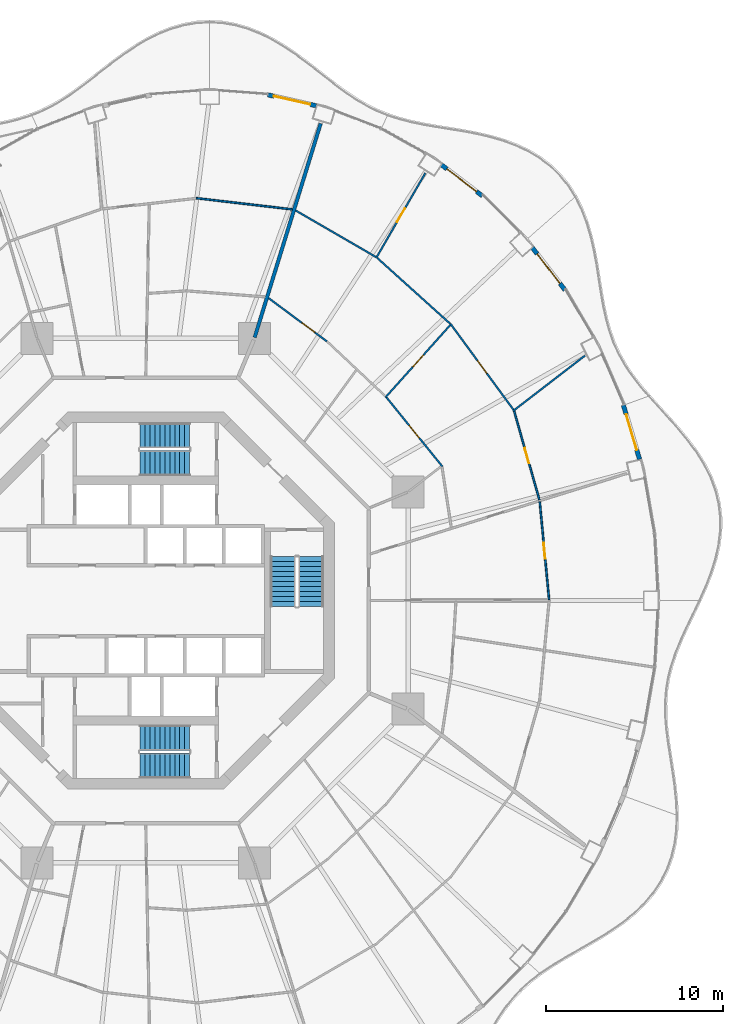
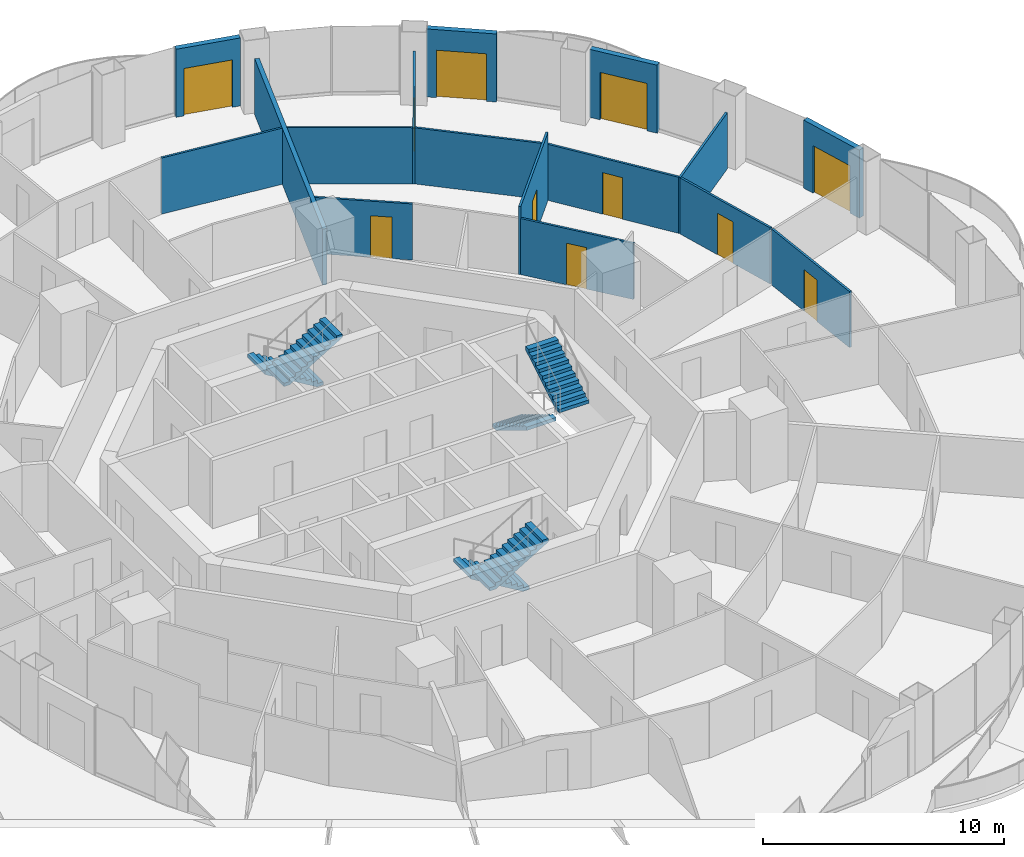
# One storey, part 17 of 20: 16 walls, 11 doors, 6 stair flights, 11 openings, 3 elements without a shape of their own.
"""IFC4 building model written with IfcOpenShell, lengths in metres."""

from ifc_helpers import new_model, si_unit, direction, frame, frame_2d, origin, place, context, subcontext, project, spatial, polyline, rectangle, outline, extrude, material, layer, layer_set, type_object, element, fill, aggregate, save


model = new_model("IFC4")

# Units and contexts
model_context = context("Model", 3, precision=1e-05, world=origin(), true_north=direction((0.0, 1.0)))
body_context = subcontext(model_context, "Body", "Model", "MODEL_VIEW")
ifc_project = project(units=[si_unit("LENGTHUNIT", "METRE"), si_unit("AREAUNIT", "SQUARE_METRE"), si_unit("VOLUMEUNIT", "CUBIC_METRE"), si_unit("PLANEANGLEUNIT", "RADIAN"), si_unit("MASSUNIT", "GRAM", prefix="KILO")], contexts=[model_context])

# Site, building, storey
site_placement = place(None, origin())
site = spatial("IfcSite", under=ifc_project, at=site_placement, CompositionType="ELEMENT")
building_placement = place(site_placement, origin())
building = spatial("IfcBuilding", under=site, at=building_placement, Name="Nagisa Residences", CompositionType="ELEMENT")
storey_placement = place(building_placement, frame((0.0, 0.0, 165.89990234375)))
storey = spatial("IfcBuildingStorey", under=building, at=storey_placement, Name="L41", CompositionType="ELEMENT", Elevation=165.89990234375)

# Wall
ifc_material_1 = material(Name="Gypsum board on steel studs", Category="steel")
ifc_layer_1 = layer(ifc_material_1, 0.199951171875)
ifc_layer_set_1 = layer_set([ifc_layer_1], Name="Apartment compartment wall EI60 200")
wall_type_1 = type_object("IfcWallType", Name="Apartment compartment wall EI60 200", PredefinedType="PARTITIONING", material=ifc_layer_set_1)
wall_1_placement = place(storey_placement, frame((6.1376953125, 14.829833984375, 0.0), z_axis=(0.0, 0.0, 1.0), x_axis=(0.294818517221, 0.955553264818, 0.0)))
element("IfcWall", 1, at=wall_1_placement, inside=storey, type_object=wall_type_1, Name="wall:L41:u01", PredefinedType="PARTITIONING", context=body_context, shape_type="SweptSolid", body=[
    extrude(rectangle(XDim=12.619384765625, YDim=0.199951171875, at=frame_2d((6.3095703125, 0.0))), origin(), (0.0, 0.0, 1.0), 2.837158203125),
])

# Wall, opening, door
ifc_material_2 = material(Name="Gypsum board on steel studs", Category="steel")
ifc_layer_2 = layer(ifc_material_2, 0.10009765625)
ifc_layer_set_2 = layer_set([ifc_layer_2], Name="Apartment partition 100")
wall_type_2 = type_object("IfcWallType", Name="Apartment partition 100", PredefinedType="PARTITIONING", material=ifc_layer_set_2)
wall_2_placement = place(storey_placement, frame((22.734375, 0.0498046875, 0.0), z_axis=(0.0, 0.0, 1.0), x_axis=(-0.094923312677, 0.995484587882, 0.0)))
wall_2 = element("IfcWall", 2, at=wall_2_placement, inside=storey, type_object=wall_type_2, Name="wall:L41:u18", PredefinedType="PARTITIONING", context=body_context, shape_type="SweptSolid", body=[
    extrude(rectangle(XDim=5.5478515625, YDim=0.10009765625, at=frame_2d((2.77392578125, 0.0))), origin(), (0.0, 0.0, 1.0), 2.837158203125),
])
opening_1_placement = place(wall_2_placement, frame((2.323974609375, 0.0, 0.0)))
opening_1 = element("IfcOpeningElement", 3, at=opening_1_placement, cuts=wall_2, Name="Opening L41-U09", PredefinedType="OPENING", context=body_context, shape_type="SweptSolid", body=[
    extrude(rectangle(XDim=0.89990234375, YDim=2.10009765625, at=frame_2d((0.449951171875, 1.050048828125))), frame((0.0, 0.06005859375, 0.0), z_axis=(0.0, -1.0, 0.0), x_axis=(1.0, 0.0, 0.0)), (0.0, 0.0, 1.0), 0.1201171875),
])
ifc_material_3 = material(Name="Timber door set", Category="wood")
door_type_1 = type_object("IfcDoorType", Name="Apartment door 900x2100", OperationType="NOTDEFINED", PredefinedType="DOOR", material=ifc_material_3)
door_1_placement = place(opening_1_placement, frame((0.89990234375, 0.0, 0.0), x_axis=(-1.0, 0.0, 0.0)))
door_1 = element("IfcDoor", 4, at=door_1_placement, inside=storey, type_object=door_type_1, Name="Door to dining room, Apartment 41A", OperationType="SINGLE_SWING_RIGHT", OverallHeight=2.10009765625, OverallWidth=0.89990234375, PredefinedType="DOOR", context=body_context, shape_type="SweptSolid", body=[
    extrude(rectangle(XDim=0.89990234375, YDim=2.10009765625, at=frame_2d((0.449951171875, 1.050048828125))), frame((0.0, 0.02490234375, 0.0), z_axis=(0.0, -1.0, 0.0), x_axis=(1.0, 0.0, 0.0)), (0.0, 0.0, 1.0), 0.050048828125),
])
fill(opening_1, door_1)

wall_3_placement = place(storey_placement, frame((22.189453125, 5.67041015625, 0.0), z_axis=(0.0, 0.0, 1.0), x_axis=(-0.273815967041, 0.961782104322, 0.0)))
wall_3 = element("IfcWall", 5, at=wall_3_placement, inside=storey, type_object=wall_type_2, Name="wall:L41:u22", PredefinedType="PARTITIONING", context=body_context, shape_type="SweptSolid", body=[
    extrude(rectangle(XDim=5.20166015625, YDim=0.10009765625, at=frame_2d((2.600830078125, 0.0))), origin(), (0.0, 0.0, 1.0), 2.837158203125),
])
opening_2_placement = place(wall_3_placement, frame((2.15087890625, 0.0, 0.0)))
opening_2 = element("IfcOpeningElement", 6, at=opening_2_placement, cuts=wall_3, Name="Opening L41-U10", PredefinedType="OPENING", context=body_context, shape_type="SweptSolid", body=[
    extrude(rectangle(XDim=0.89990234375, YDim=2.10009765625, at=frame_2d((0.449951171875, 1.050048828125))), frame((0.0, 0.06005859375, 0.0), z_axis=(0.0, -1.0, 0.0), x_axis=(1.0, 0.0, 0.0)), (0.0, 0.0, 1.0), 0.1201171875),
])
door_2_placement = place(opening_2_placement, frame((0.89990234375, 0.0, 0.0), x_axis=(-1.0, 0.0, 0.0)))
door_2 = element("IfcDoor", 7, at=door_2_placement, inside=storey, type_object=door_type_1, Name="Door to master bedroom, Apartment 41A", OperationType="SINGLE_SWING_LEFT", OverallHeight=2.10009765625, OverallWidth=0.89990234375, PredefinedType="DOOR", context=body_context, shape_type="SweptSolid", body=[
    extrude(rectangle(XDim=0.89990234375, YDim=2.10009765625, at=frame_2d((0.449951171875, 1.050048828125))), frame((0.0, 0.02490234375, 0.0), z_axis=(0.0, -1.0, 0.0), x_axis=(1.0, 0.0, 0.0)), (0.0, 0.0, 1.0), 0.050048828125),
])
fill(opening_2, door_2)

wall_4_placement = place(storey_placement, frame((16.720703125, 7.55322265625, 0.0), z_axis=(0.0, 0.0, 1.0), x_axis=(-0.628753513808, 0.777604667472, 0.0)))
wall_4 = element("IfcWall", 8, at=wall_4_placement, inside=storey, type_object=wall_type_2, Name="wall:L41:u25", PredefinedType="PARTITIONING", context=body_context, shape_type="SweptSolid", body=[
    extrude(rectangle(XDim=5.00732421875, YDim=0.10009765625, at=frame_2d((2.503662109375, 0.0))), origin(), (0.0, 0.0, 1.0), 2.837158203125),
])
opening_3_placement = place(wall_4_placement, frame((2.07861328125, 0.0, 0.0)))
opening_3 = element("IfcOpeningElement", 9, at=opening_3_placement, cuts=wall_4, Name="Opening L41-U13", PredefinedType="OPENING", context=body_context, shape_type="SweptSolid", body=[
    extrude(rectangle(XDim=0.89990234375, YDim=2.10009765625, at=frame_2d((0.449951171875, 1.050048828125))), frame((0.0, 0.06005859375, 0.0), z_axis=(0.0, -1.0, 0.0), x_axis=(1.0, 0.0, 0.0)), (0.0, 0.0, 1.0), 0.1201171875),
])
door_3_placement = place(opening_3_placement, origin())
door_3 = element("IfcDoor", 10, at=door_3_placement, inside=storey, type_object=door_type_1, Name="Door to store, Apartment 41A", OperationType="SINGLE_SWING_LEFT", OverallHeight=2.10009765625, OverallWidth=0.89990234375, PredefinedType="DOOR", context=body_context, shape_type="SweptSolid", body=[
    extrude(rectangle(XDim=0.89990234375, YDim=2.10009765625, at=frame_2d((0.449951171875, 1.050048828125))), frame((0.0, 0.02490234375, 0.0), z_axis=(0.0, -1.0, 0.0), x_axis=(1.0, 0.0, 0.0)), (0.0, 0.0, 1.0), 0.050048828125),
])
fill(opening_3, door_3)

# Wall
wall_5_placement = place(storey_placement, frame((20.7119140625, 10.69091796875, 0.0), z_axis=(0.0, 0.0, 1.0), x_axis=(0.79220362146, 0.610256849323, 0.0)))
element("IfcWall", 11, at=wall_5_placement, inside=storey, type_object=wall_type_2, Name="wall:L41:u26", PredefinedType="PARTITIONING", context=body_context, shape_type="SweptSolid", body=[
    extrude(rectangle(XDim=5.09765625, YDim=0.10009765625, at=frame_2d((2.548828125, 0.0))), origin(), (0.0, 0.0, 1.0), 2.837158203125),
])

# Wall, opening, door
wall_6_placement = place(storey_placement, frame((20.721923828125, 10.76171875, 0.0), z_axis=(0.0, 0.0, 1.0), x_axis=(-0.591124135033, 0.806580595466, 0.0)))
wall_6 = element("IfcWall", 12, at=wall_6_placement, inside=storey, type_object=wall_type_2, Name="wall:L41:u27", PredefinedType="PARTITIONING", context=body_context, shape_type="SweptSolid", body=[
    extrude(rectangle(XDim=6.01025390625, YDim=0.10009765625, at=frame_2d((3.005126953125, 0.0))), origin(), (0.0, 0.0, 1.0), 2.837158203125),
])
opening_4_placement = place(wall_6_placement, frame((2.530029296875, 0.0, 0.0)))
opening_4 = element("IfcOpeningElement", 13, at=opening_4_placement, cuts=wall_6, Name="Opening L41-U11", PredefinedType="OPENING", context=body_context, shape_type="SweptSolid", body=[
    extrude(rectangle(XDim=0.89990234375, YDim=2.10009765625, at=frame_2d((0.449951171875, 1.050048828125))), frame((0.0, 0.06005859375, 0.0), z_axis=(0.0, -1.0, 0.0), x_axis=(1.0, 0.0, 0.0)), (0.0, 0.0, 1.0), 0.1201171875),
])
door_4_placement = place(opening_4_placement, frame((0.89990234375, 0.0, 0.0), x_axis=(-1.0, 0.0, 0.0)))
door_4 = element("IfcDoor", 14, at=door_4_placement, inside=storey, type_object=door_type_1, Name="Door to family room, Apartment 41A", OperationType="SINGLE_SWING_RIGHT", OverallHeight=2.10009765625, OverallWidth=0.89990234375, PredefinedType="DOOR", context=body_context, shape_type="SweptSolid", body=[
    extrude(rectangle(XDim=0.89990234375, YDim=2.10009765625, at=frame_2d((0.449951171875, 1.050048828125))), frame((0.0, 0.02490234375, 0.0), z_axis=(0.0, -1.0, 0.0), x_axis=(1.0, 0.0, 0.0)), (0.0, 0.0, 1.0), 0.050048828125),
])
fill(opening_4, door_4)

wall_7_placement = place(storey_placement, frame((13.50732421875, 11.44873046875, 0.0), z_axis=(0.0, 0.0, 1.0), x_axis=(0.667299792168, 0.744789223453, 0.0)))
wall_7 = element("IfcWall", 15, at=wall_7_placement, inside=storey, type_object=wall_type_2, Name="wall:L41:u28", PredefinedType="PARTITIONING", context=body_context, shape_type="SweptSolid", body=[
    extrude(rectangle(XDim=5.482177734375, YDim=0.10009765625, at=frame_2d((2.7412109375, 0.0))), origin(), (0.0, 0.0, 1.0), 3.440185546875),
])
opening_5_placement = place(wall_7_placement, frame((2.316162109375, 0.0, 0.0)))
opening_5 = element("IfcOpeningElement", 16, at=opening_5_placement, cuts=wall_7, Name="Opening L41-U07", PredefinedType="OPENING", context=body_context, shape_type="SweptSolid", body=[
    extrude(rectangle(XDim=0.89990234375, YDim=2.10009765625, at=frame_2d((0.449951171875, 1.050048828125))), frame((0.0, 0.06005859375, 0.0), z_axis=(0.0, -1.0, 0.0), x_axis=(1.0, 0.0, 0.0)), (0.0, 0.0, 1.0), 0.1201171875),
])
door_5_placement = place(opening_5_placement, origin())
door_5 = element("IfcDoor", 17, at=door_5_placement, inside=storey, type_object=door_type_1, Name="Door to family room, Apartment 41A", OperationType="SINGLE_SWING_LEFT", OverallHeight=2.10009765625, OverallWidth=0.89990234375, PredefinedType="DOOR", context=body_context, shape_type="SweptSolid", body=[
    extrude(rectangle(XDim=0.89990234375, YDim=2.10009765625, at=frame_2d((0.449951171875, 1.050048828125))), frame((0.0, 0.02490234375, 0.0), z_axis=(0.0, -1.0, 0.0), x_axis=(1.0, 0.0, 0.0)), (0.0, 0.0, 1.0), 0.050048828125),
])
fill(opening_5, door_5)

# Wall
wall_8_placement = place(storey_placement, frame((17.16162109375, 15.6025390625, 0.0), z_axis=(0.0, 0.0, 1.0), x_axis=(-0.742790086539, 0.66952437397, 0.0)))
element("IfcWall", 18, at=wall_8_placement, inside=storey, type_object=wall_type_2, Name="wall:L41:u30", PredefinedType="PARTITIONING", context=body_context, shape_type="SweptSolid", body=[
    extrude(rectangle(XDim=5.54150390625, YDim=0.10009765625, at=frame_2d((2.770751953125, 0.0))), origin(), (0.0, 0.0, 1.0), 2.837158203125),
])

# Wall, opening, door
wall_9_placement = place(storey_placement, frame((10.20654296875, 14.609619140625, 0.0), z_axis=(0.0, 0.0, 1.0), x_axis=(-0.802769141821, 0.596289950394, 0.0)))
wall_9 = element("IfcWall", 19, at=wall_9_placement, inside=storey, type_object=wall_type_2, Name="wall:L41:u32", PredefinedType="PARTITIONING", context=body_context, shape_type="SweptSolid", body=[
    extrude(rectangle(XDim=4.09228515625, YDim=0.10009765625, at=frame_2d((2.046142578125, 0.0))), origin(), (0.0, 0.0, 1.0), 2.837158203125),
])
opening_6_placement = place(wall_9_placement, frame((0.848388671875, 0.0, 0.0)))
opening_6 = element("IfcOpeningElement", 20, at=opening_6_placement, cuts=wall_9, Name="Opening L41-U14", PredefinedType="OPENING", context=body_context, shape_type="SweptSolid", body=[
    extrude(rectangle(XDim=0.89990234375, YDim=2.10009765625, at=frame_2d((0.449951171875, 1.050048828125))), frame((0.0, 0.06005859375, 0.0), z_axis=(0.0, -1.0, 0.0), x_axis=(1.0, 0.0, 0.0)), (0.0, 0.0, 1.0), 0.1201171875),
])
door_6_placement = place(opening_6_placement, origin())
door_6 = element("IfcDoor", 21, at=door_6_placement, inside=storey, type_object=door_type_1, Name="Door to laundry, Apartment 41A", OperationType="SINGLE_SWING_RIGHT", OverallHeight=2.10009765625, OverallWidth=0.89990234375, PredefinedType="DOOR", context=body_context, shape_type="SweptSolid", body=[
    extrude(rectangle(XDim=0.89990234375, YDim=2.10009765625, at=frame_2d((0.449951171875, 1.050048828125))), frame((0.0, 0.02490234375, 0.0), z_axis=(0.0, -1.0, 0.0), x_axis=(1.0, 0.0, 0.0)), (0.0, 0.0, 1.0), 0.050048828125),
])
fill(opening_6, door_6)

wall_10_placement = place(storey_placement, frame((12.983154296875, 19.302978515625, 0.0), z_axis=(0.0, 0.0, 1.0), x_axis=(0.501315846071, 0.865264365659, 0.0)))
wall_10 = element("IfcWall", 22, at=wall_10_placement, inside=storey, type_object=wall_type_2, Name="wall:L41:u33", PredefinedType="PARTITIONING", context=body_context, shape_type="SweptSolid", body=[
    extrude(rectangle(XDim=5.54150390625, YDim=0.10009765625, at=frame_2d((2.770751953125, 0.0))), origin(), (0.0, 0.0, 1.0), 2.837158203125),
])
opening_7_placement = place(wall_10_placement, frame((2.345703125, 0.0, 0.0)))
opening_7 = element("IfcOpeningElement", 23, at=opening_7_placement, cuts=wall_10, Name="Opening L41-U12", PredefinedType="OPENING", context=body_context, shape_type="SweptSolid", body=[
    extrude(rectangle(XDim=0.89990234375, YDim=2.10009765625, at=frame_2d((0.449951171875, 1.050048828125))), frame((0.0, 0.06005859375, 0.0), z_axis=(0.0, -1.0, 0.0), x_axis=(1.0, 0.0, 0.0)), (0.0, 0.0, 1.0), 0.1201171875),
])
door_7_placement = place(opening_7_placement, origin())
door_7 = element("IfcDoor", 24, at=door_7_placement, inside=storey, type_object=door_type_1, Name="Door to living room, Apartment 41A", OperationType="SINGLE_SWING_RIGHT", OverallHeight=2.10009765625, OverallWidth=0.89990234375, PredefinedType="DOOR", context=body_context, shape_type="SweptSolid", body=[
    extrude(rectangle(XDim=0.89990234375, YDim=2.10009765625, at=frame_2d((0.449951171875, 1.050048828125))), frame((0.0, 0.02490234375, 0.0), z_axis=(0.0, -1.0, 0.0), x_axis=(1.0, 0.0, 0.0)), (0.0, 0.0, 1.0), 0.050048828125),
])
fill(opening_7, door_7)

# Walls
wall_11_placement = place(storey_placement, frame((12.965087890625, 19.371337890625, 0.0), z_axis=(0.0, 0.0, 1.0), x_axis=(-0.865286427811, 0.501277765163, 0.0)))
element("IfcWall", 25, at=wall_11_placement, inside=storey, type_object=wall_type_2, Name="wall:L41:u34", PredefinedType="PARTITIONING", context=body_context, shape_type="SweptSolid", body=[
    extrude(rectangle(XDim=5.219970703125, YDim=0.10009765625, at=frame_2d((2.60986328125, 0.0))), origin(), (0.0, 0.0, 1.0), 2.837158203125),
])
wall_12_placement = place(storey_placement, frame((8.262451171875, 22.0498046875, 0.0), z_axis=(0.0, 0.0, 1.0), x_axis=(-0.993250089265, 0.115992500516, 0.0)))
element("IfcWall", 26, at=wall_12_placement, inside=storey, type_object=wall_type_2, Name="wall:L41:u36", PredefinedType="PARTITIONING", context=body_context, shape_type="SweptSolid", body=[
    extrude(rectangle(XDim=5.457763671875, YDim=0.10009765625, at=frame_2d((2.72900390625, 0.0))), origin(), (0.0, 0.0, 1.0), 2.837158203125),
])

# Wall, opening, door
ifc_material_4 = material(Name="Precast concrete C40/50", Category="concrete")
ifc_layer_3 = layer(ifc_material_4, 0.25)
ifc_layer_set_3 = layer_set([ifc_layer_3], Name="BALCONY DOOR WALL 250")
wall_type_3 = type_object("IfcWallType", Name="BALCONY DOOR WALL 250", PredefinedType="SOLIDWALL", material=ifc_layer_set_3)
wall_13_placement = place(storey_placement, frame((26.923583984375, 11.01416015625, 0.0), z_axis=(0.0, 0.0, 1.0), x_axis=(0.28584838049, -0.958274857946, 0.0)))
wall_13 = element("IfcWall", 27, at=wall_13_placement, inside=storey, type_object=wall_type_3, Name="wall:L41:bay02", PredefinedType="SOLIDWALL", context=body_context, shape_type="SweptSolid", body=[
    extrude(rectangle(XDim=3.182373046875, YDim=0.25, at=frame_2d((1.59130859375, 0.0))), origin(), (0.0, 0.0, 1.0), 3.440185546875),
])
opening_8_placement = place(wall_13_placement, frame((0.541259765625, 0.0, 0.0)))
opening_8 = element("IfcOpeningElement", 28, at=opening_8_placement, cuts=wall_13, Name="Opening BD-L41-01", PredefinedType="OPENING", context=body_context, shape_type="SweptSolid", body=[
    extrude(rectangle(XDim=2.10009765625, YDim=2.39990234375, at=frame_2d((1.050048828125, 1.199951171875))), frame((0.0, 0.135009765625, 0.0), z_axis=(0.0, -1.0, 0.0), x_axis=(1.0, 0.0, 0.0)), (0.0, 0.0, 1.0), 0.27001953125),
])
ifc_material_5 = material(Name="Aluminium and clear glass", Category="aluminium")
door_type_2 = type_object("IfcDoorType", Name="BALCONY SLIDING DOOR 2100x2400", OperationType="SLIDING_TO_LEFT", PredefinedType="DOOR", material=ifc_material_5)
door_8_placement = place(opening_8_placement, origin())
door_8 = element("IfcDoor", 29, at=door_8_placement, inside=storey, type_object=door_type_2, Name="door:L41:bay02", OperationType="SLIDING_TO_LEFT", OverallHeight=2.39990234375, OverallWidth=2.10009765625, PredefinedType="DOOR", context=body_context, shape_type="SweptSolid", body=[
    extrude(rectangle(XDim=2.10009765625, YDim=2.39990234375, at=frame_2d((1.050048828125, 1.199951171875))), frame((0.0, 0.02490234375, 0.0), z_axis=(0.0, -1.0, 0.0), x_axis=(1.0, 0.0, 0.0)), (0.0, 0.0, 1.0), 0.050048828125),
])
fill(opening_8, door_8)

wall_14_placement = place(storey_placement, frame((21.779541015625, 19.90576171875, 0.0), z_axis=(0.0, 0.0, 1.0), x_axis=(0.610437428894, -0.79206448311, 0.0)))
wall_14 = element("IfcWall", 30, at=wall_14_placement, inside=storey, type_object=wall_type_3, Name="wall:L41:bay05", PredefinedType="SOLIDWALL", context=body_context, shape_type="SweptSolid", body=[
    extrude(rectangle(XDim=3.03515625, YDim=0.25, at=frame_2d((1.517578125, 0.0))), origin(), (0.0, 0.0, 1.0), 3.440185546875),
])
opening_9_placement = place(wall_14_placement, frame((0.467529296875, 0.0, 0.0)))
opening_9 = element("IfcOpeningElement", 31, at=opening_9_placement, cuts=wall_14, Name="Opening BD-L41-02", PredefinedType="OPENING", context=body_context, shape_type="SweptSolid", body=[
    extrude(rectangle(XDim=2.10009765625, YDim=2.39990234375, at=frame_2d((1.050048828125, 1.199951171875))), frame((0.0, 0.135009765625, 0.0), z_axis=(0.0, -1.0, 0.0), x_axis=(1.0, 0.0, 0.0)), (0.0, 0.0, 1.0), 0.27001953125),
])
door_9_placement = place(opening_9_placement, origin())
door_9 = element("IfcDoor", 32, at=door_9_placement, inside=storey, type_object=door_type_2, Name="door:L41:bay05", OperationType="SLIDING_TO_LEFT", OverallHeight=2.39990234375, OverallWidth=2.10009765625, PredefinedType="DOOR", context=body_context, shape_type="SweptSolid", body=[
    extrude(rectangle(XDim=2.10009765625, YDim=2.39990234375, at=frame_2d((1.050048828125, 1.199951171875))), frame((0.0, 0.02490234375, 0.0), z_axis=(0.0, -1.0, 0.0), x_axis=(1.0, 0.0, 0.0)), (0.0, 0.0, 1.0), 0.050048828125),
])
fill(opening_9, door_9)

wall_15_placement = place(storey_placement, frame((16.649658203125, 24.573974609375, 0.0), z_axis=(0.0, 0.0, 1.0), x_axis=(0.796055733703, -0.60522332146, 0.0)))
wall_15 = element("IfcWall", 33, at=wall_15_placement, inside=storey, type_object=wall_type_3, Name="wall:L41:bay07", PredefinedType="SOLIDWALL", context=body_context, shape_type="SweptSolid", body=[
    extrude(rectangle(XDim=2.9169921875, YDim=0.25, at=frame_2d((1.45849609375, 0.0))), origin(), (0.0, 0.0, 1.0), 3.440185546875),
])
opening_10_placement = place(wall_15_placement, frame((0.408447265625, 0.0, 0.0)))
opening_10 = element("IfcOpeningElement", 34, at=opening_10_placement, cuts=wall_15, Name="Opening BD-L41-03", PredefinedType="OPENING", context=body_context, shape_type="SweptSolid", body=[
    extrude(rectangle(XDim=2.10009765625, YDim=2.39990234375, at=frame_2d((1.050048828125, 1.199951171875))), frame((0.0, 0.135009765625, 0.0), z_axis=(0.0, -1.0, 0.0), x_axis=(1.0, 0.0, 0.0)), (0.0, 0.0, 1.0), 0.27001953125),
])
door_10_placement = place(opening_10_placement, origin())
door_10 = element("IfcDoor", 35, at=door_10_placement, inside=storey, type_object=door_type_2, Name="door:L41:bay07", OperationType="SLIDING_TO_LEFT", OverallHeight=2.39990234375, OverallWidth=2.10009765625, PredefinedType="DOOR", context=body_context, shape_type="SweptSolid", body=[
    extrude(rectangle(XDim=2.10009765625, YDim=2.39990234375, at=frame_2d((1.050048828125, 1.199951171875))), frame((0.0, 0.02490234375, 0.0), z_axis=(0.0, -1.0, 0.0), x_axis=(1.0, 0.0, 0.0)), (0.0, 0.0, 1.0), 0.050048828125),
])
fill(opening_10, door_10)

wall_16_placement = place(storey_placement, frame((6.884521484375, 28.506103515625, 0.0), z_axis=(0.0, 0.0, 1.0), x_axis=(0.975324329911, -0.220776926974, 0.0)))
wall_16 = element("IfcWall", 36, at=wall_16_placement, inside=storey, type_object=wall_type_3, Name="wall:L41:bay10", PredefinedType="SOLIDWALL", context=body_context, shape_type="SweptSolid", body=[
    extrude(rectangle(XDim=2.787841796875, YDim=0.25, at=frame_2d((1.39404296875, 0.0))), origin(), (0.0, 0.0, 1.0), 3.440185546875),
])
opening_11_placement = place(wall_16_placement, frame((0.343994140625, 0.0, 0.0)))
opening_11 = element("IfcOpeningElement", 37, at=opening_11_placement, cuts=wall_16, Name="Opening BD-L41-04", PredefinedType="OPENING", context=body_context, shape_type="SweptSolid", body=[
    extrude(rectangle(XDim=2.10009765625, YDim=2.39990234375, at=frame_2d((1.050048828125, 1.199951171875))), frame((0.0, 0.135009765625, 0.0), z_axis=(0.0, -1.0, 0.0), x_axis=(1.0, 0.0, 0.0)), (0.0, 0.0, 1.0), 0.27001953125),
])
door_11_placement = place(opening_11_placement, origin())
door_11 = element("IfcDoor", 38, at=door_11_placement, inside=storey, type_object=door_type_2, Name="door:L41:bay10", OperationType="SLIDING_TO_LEFT", OverallHeight=2.39990234375, OverallWidth=2.10009765625, PredefinedType="DOOR", context=body_context, shape_type="SweptSolid", body=[
    extrude(rectangle(XDim=2.10009765625, YDim=2.39990234375, at=frame_2d((1.050048828125, 1.199951171875))), frame((0.0, 0.02490234375, 0.0), z_axis=(0.0, -1.0, 0.0), x_axis=(1.0, 0.0, 0.0)), (0.0, 0.0, 1.0), 0.050048828125),
])
fill(opening_11, door_11)

# Stair, stair flights
ifc_material_6 = material(Name="Concrete C60", Category="concrete")
stair_type = type_object("IfcStairType", Name="Exit stair", PredefinedType="HALF_TURN_STAIR", material=ifc_material_6)
stair_1_placement = place(storey_placement, origin())
stair_1 = element("IfcStair", 39, at=stair_1_placement, inside=storey, type_object=stair_type, Name="L41 Exit stair E", PredefinedType="HALF_TURN_STAIR")
ifc_material_7 = material(Name="Concrete C60", Category="concrete")
stair_flight_type = type_object("IfcStairFlightType", Name="Exit stair flight", PredefinedType="STRAIGHT", material=ifc_material_7)
stair_flight_1_placement = place(storey_placement, frame((7.737060546875, 2.47509765625, 0.0), z_axis=(0.0, 0.0, 1.0), x_axis=(0.0, -1.0, 0.0)))
stair_flight_1 = element("IfcStairFlight", 40, at=stair_flight_1_placement, type_object=stair_flight_type, Name="ST-E flight 1", NumberOfRisers=11, NumberOfTreads=10, PredefinedType="STRAIGHT", RiserHeight=0.168181818, TreadLength=0.28, context=body_context, shape_type="SweptSolid", body=[
    extrude(outline(polyline([(0.0, 0.0), (0.0, 0.168212890625), (0.280029296875, 0.168212890625), (0.280029296875, 0.33642578125), (0.56005859375, 0.33642578125), (0.56005859375, 0.504638671875), (0.840087890625, 0.504638671875), (0.840087890625, 0.672607421875), (1.1201171875, 0.672607421875), (1.1201171875, 0.8408203125), (1.39990234375, 0.8408203125), (1.39990234375, 1.009033203125), (1.679931640625, 1.009033203125), (1.679931640625, 1.17724609375), (1.9599609375, 1.17724609375), (1.9599609375, 1.345458984375), (2.239990234375, 1.345458984375), (2.239990234375, 1.513671875), (2.52001953125, 1.513671875), (2.52001953125, 1.681884765625), (2.800048828125, 1.681884765625), (2.800048828125, 1.85009765625), (2.800048828125, 1.5068359375), (0.291015625, 0.0), (0.0, 0.0)])), frame((0.0, 0.71240234375, 0.0), z_axis=(0.0, -1.0, 0.0), x_axis=(1.0, 0.0, 0.0)), (0.0, 0.0, 1.0), 1.425048828125),
])
stair_flight_2_placement = place(storey_placement, frame((9.31201171875, -0.324951171875, 1.85009765625), z_axis=(0.0, 0.0, 1.0), x_axis=(0.0, 1.0, 0.0)))
stair_flight_2 = element("IfcStairFlight", 41, at=stair_flight_2_placement, type_object=stair_flight_type, Name="ST-E flight 2", NumberOfRisers=11, NumberOfTreads=10, PredefinedType="STRAIGHT", RiserHeight=0.168181818, TreadLength=0.28, context=body_context, shape_type="SweptSolid", body=[
    extrude(outline(polyline([(0.0, 0.0), (0.0, 0.168212890625), (0.280029296875, 0.168212890625), (0.280029296875, 0.33642578125), (0.56005859375, 0.33642578125), (0.56005859375, 0.504638671875), (0.840087890625, 0.504638671875), (0.840087890625, 0.672607421875), (1.1201171875, 0.672607421875), (1.1201171875, 0.8408203125), (1.39990234375, 0.8408203125), (1.39990234375, 1.009033203125), (1.679931640625, 1.009033203125), (1.679931640625, 1.17724609375), (1.9599609375, 1.17724609375), (1.9599609375, 1.345458984375), (2.239990234375, 1.345458984375), (2.239990234375, 1.513671875), (2.52001953125, 1.513671875), (2.52001953125, 1.681884765625), (2.800048828125, 1.681884765625), (2.800048828125, 1.85009765625), (2.800048828125, 1.5068359375), (0.291015625, 0.0), (0.0, 0.0)])), frame((0.0, 0.71240234375, 0.0), z_axis=(0.0, -1.0, 0.0), x_axis=(1.0, 0.0, 0.0)), (0.0, 0.0, 1.0), 1.425048828125),
])
aggregate(stair_1, [stair_flight_1, stair_flight_2])

stair_2_placement = place(storey_placement, origin())
stair_2 = element("IfcStair", 42, at=stair_2_placement, inside=storey, type_object=stair_type, Name="L41 Exit stair N", PredefinedType="HALF_TURN_STAIR")
stair_flight_3_placement = place(storey_placement, frame((2.47509765625, 9.31201171875, 0.0), z_axis=(0.0, 0.0, 1.0), x_axis=(-1.0, 0.0, 0.0)))
stair_flight_3 = element("IfcStairFlight", 43, at=stair_flight_3_placement, type_object=stair_flight_type, Name="ST-N flight 1", NumberOfRisers=11, NumberOfTreads=10, PredefinedType="STRAIGHT", RiserHeight=0.168181818, TreadLength=0.28, context=body_context, shape_type="SweptSolid", body=[
    extrude(outline(polyline([(0.0, 0.0), (0.0, 0.168212890625), (0.280029296875, 0.168212890625), (0.280029296875, 0.33642578125), (0.56005859375, 0.33642578125), (0.56005859375, 0.504638671875), (0.840087890625, 0.504638671875), (0.840087890625, 0.672607421875), (1.1201171875, 0.672607421875), (1.1201171875, 0.8408203125), (1.39990234375, 0.8408203125), (1.39990234375, 1.009033203125), (1.679931640625, 1.009033203125), (1.679931640625, 1.17724609375), (1.9599609375, 1.17724609375), (1.9599609375, 1.345458984375), (2.239990234375, 1.345458984375), (2.239990234375, 1.513671875), (2.52001953125, 1.513671875), (2.52001953125, 1.681884765625), (2.800048828125, 1.681884765625), (2.800048828125, 1.85009765625), (2.800048828125, 1.5068359375), (0.291015625, 0.0), (0.0, 0.0)])), frame((0.0, 0.71240234375, 0.0), z_axis=(0.0, -1.0, 0.0), x_axis=(1.0, 0.0, 0.0)), (0.0, 0.0, 1.0), 1.425048828125),
])
stair_flight_4_placement = place(storey_placement, frame((-0.324951171875, 7.737060546875, 1.85009765625), z_axis=(0.0, 0.0, 1.0), x_axis=(1.0, 0.0, 0.0)))
stair_flight_4 = element("IfcStairFlight", 44, at=stair_flight_4_placement, type_object=stair_flight_type, Name="ST-N flight 2", NumberOfRisers=11, NumberOfTreads=10, PredefinedType="STRAIGHT", RiserHeight=0.168181818, TreadLength=0.28, context=body_context, shape_type="SweptSolid", body=[
    extrude(outline(polyline([(0.0, 0.0), (0.0, 0.168212890625), (0.280029296875, 0.168212890625), (0.280029296875, 0.33642578125), (0.56005859375, 0.33642578125), (0.56005859375, 0.504638671875), (0.840087890625, 0.504638671875), (0.840087890625, 0.672607421875), (1.1201171875, 0.672607421875), (1.1201171875, 0.8408203125), (1.39990234375, 0.8408203125), (1.39990234375, 1.009033203125), (1.679931640625, 1.009033203125), (1.679931640625, 1.17724609375), (1.9599609375, 1.17724609375), (1.9599609375, 1.345458984375), (2.239990234375, 1.345458984375), (2.239990234375, 1.513671875), (2.52001953125, 1.513671875), (2.52001953125, 1.681884765625), (2.800048828125, 1.681884765625), (2.800048828125, 1.85009765625), (2.800048828125, 1.5068359375), (0.291015625, 0.0), (0.0, 0.0)])), frame((0.0, 0.71240234375, 0.0), z_axis=(0.0, -1.0, 0.0), x_axis=(1.0, 0.0, 0.0)), (0.0, 0.0, 1.0), 1.425048828125),
])
aggregate(stair_2, [stair_flight_3, stair_flight_4])

stair_3_placement = place(storey_placement, origin())
stair_3 = element("IfcStair", 45, at=stair_3_placement, inside=storey, type_object=stair_type, Name="L41 Exit stair S", PredefinedType="HALF_TURN_STAIR")
stair_flight_5_placement = place(storey_placement, frame((2.47509765625, -7.737060546875, 0.0), z_axis=(0.0, 0.0, 1.0), x_axis=(-1.0, 0.0, 0.0)))
stair_flight_5 = element("IfcStairFlight", 46, at=stair_flight_5_placement, type_object=stair_flight_type, Name="ST-S flight 1", NumberOfRisers=11, NumberOfTreads=10, PredefinedType="STRAIGHT", RiserHeight=0.168181818, TreadLength=0.28, context=body_context, shape_type="SweptSolid", body=[
    extrude(outline(polyline([(0.0, 0.0), (0.0, 0.168212890625), (0.280029296875, 0.168212890625), (0.280029296875, 0.33642578125), (0.56005859375, 0.33642578125), (0.56005859375, 0.504638671875), (0.840087890625, 0.504638671875), (0.840087890625, 0.672607421875), (1.1201171875, 0.672607421875), (1.1201171875, 0.8408203125), (1.39990234375, 0.8408203125), (1.39990234375, 1.009033203125), (1.679931640625, 1.009033203125), (1.679931640625, 1.17724609375), (1.9599609375, 1.17724609375), (1.9599609375, 1.345458984375), (2.239990234375, 1.345458984375), (2.239990234375, 1.513671875), (2.52001953125, 1.513671875), (2.52001953125, 1.681884765625), (2.800048828125, 1.681884765625), (2.800048828125, 1.85009765625), (2.800048828125, 1.5068359375), (0.291015625, 0.0), (0.0, 0.0)])), frame((0.0, 0.71240234375, 0.0), z_axis=(0.0, -1.0, 0.0), x_axis=(1.0, 0.0, 0.0)), (0.0, 0.0, 1.0), 1.425048828125),
])
stair_flight_6_placement = place(storey_placement, frame((-0.324951171875, -9.31201171875, 1.85009765625), z_axis=(0.0, 0.0, 1.0), x_axis=(1.0, 0.0, 0.0)))
stair_flight_6 = element("IfcStairFlight", 47, at=stair_flight_6_placement, type_object=stair_flight_type, Name="ST-S flight 2", NumberOfRisers=11, NumberOfTreads=10, PredefinedType="STRAIGHT", RiserHeight=0.168181818, TreadLength=0.28, context=body_context, shape_type="SweptSolid", body=[
    extrude(outline(polyline([(0.0, 0.0), (0.0, 0.168212890625), (0.280029296875, 0.168212890625), (0.280029296875, 0.33642578125), (0.56005859375, 0.33642578125), (0.56005859375, 0.504638671875), (0.840087890625, 0.504638671875), (0.840087890625, 0.672607421875), (1.1201171875, 0.672607421875), (1.1201171875, 0.8408203125), (1.39990234375, 0.8408203125), (1.39990234375, 1.009033203125), (1.679931640625, 1.009033203125), (1.679931640625, 1.17724609375), (1.9599609375, 1.17724609375), (1.9599609375, 1.345458984375), (2.239990234375, 1.345458984375), (2.239990234375, 1.513671875), (2.52001953125, 1.513671875), (2.52001953125, 1.681884765625), (2.800048828125, 1.681884765625), (2.800048828125, 1.85009765625), (2.800048828125, 1.5068359375), (0.291015625, 0.0), (0.0, 0.0)])), frame((0.0, 0.71240234375, 0.0), z_axis=(0.0, -1.0, 0.0), x_axis=(1.0, 0.0, 0.0)), (0.0, 0.0, 1.0), 1.425048828125),
])
aggregate(stair_3, [stair_flight_5, stair_flight_6])

save(model, "model.ifc")
